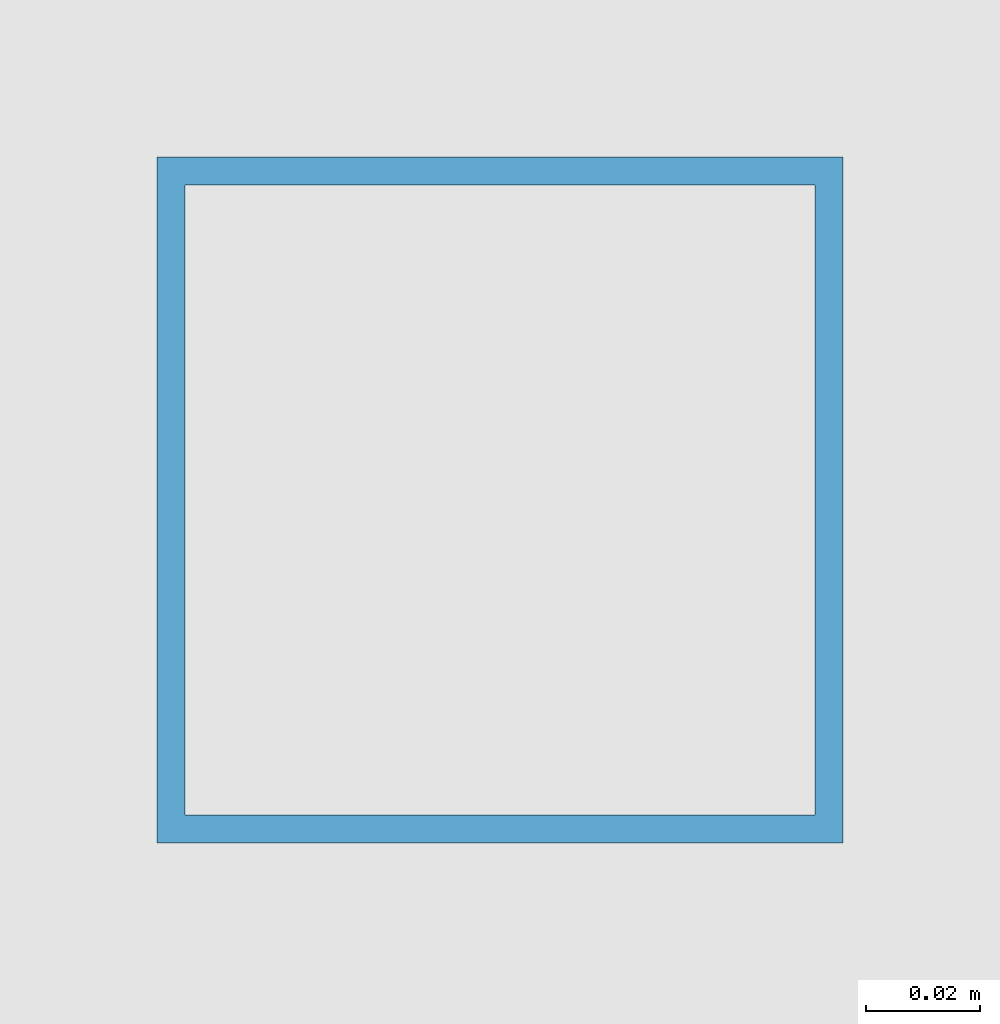
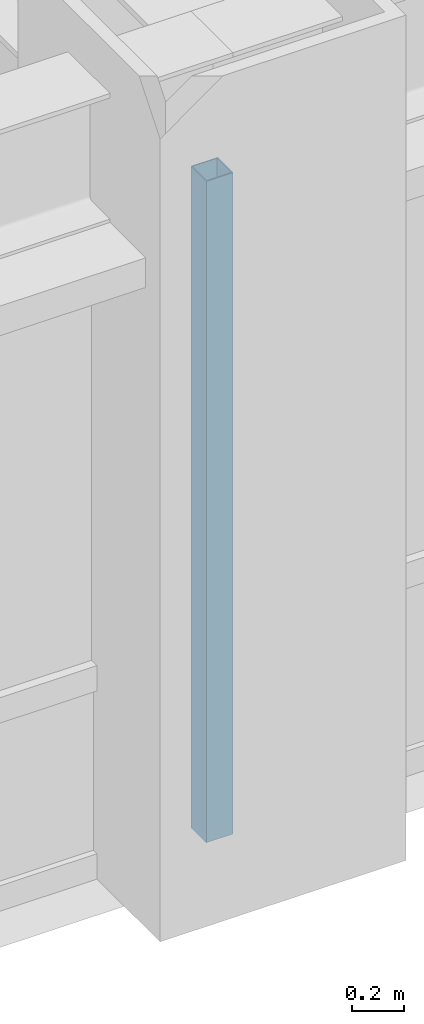
# One storey, part 4 of 28: 1 member, 1 element without a shape of its own.
"""IFC4 building model written with IfcOpenShell, lengths in metres."""

from ifc_helpers import new_model, si_unit, direction, frame, origin, origin_2d, place, context, subcontext, project, spatial, hollow_rectangle, extrude, source, transform, mapped, material, material_profile, profile_set, type_object, element, aggregate, save


model = new_model("IFC4")

# Units and contexts
model_context = context("Model", 3, precision=1e-05, world=origin(), true_north=direction((0.0, 1.0)))
body_context = subcontext(model_context, "Body", "Model", "MODEL_VIEW")
ifc_project = project(units=[si_unit("LENGTHUNIT", "METRE"), si_unit("AREAUNIT", "SQUARE_METRE"), si_unit("VOLUMEUNIT", "CUBIC_METRE"), si_unit("PLANEANGLEUNIT", "RADIAN"), si_unit("MASSUNIT", "GRAM", prefix="KILO")], contexts=[model_context])

# Site, building, storey
site_placement = place(None, origin())
site = spatial("IfcSite", under=ifc_project, at=site_placement, CompositionType="ELEMENT")
building_placement = place(site_placement, origin())
building = spatial("IfcBuilding", under=site, at=building_placement, Name="Khorayat Bourse Tower", CompositionType="ELEMENT")
storey_placement = place(building_placement, frame((0.0, 0.0, 183.10009765625)))
storey = spatial("IfcBuildingStorey", under=building, at=storey_placement, Name="L42", CompositionType="ELEMENT", Elevation=183.10009765625)

# Curtain wall, member
ifc_material = material(Name="Aluminium EN AW-6063 T6", Category="aluminium")
curtain_wall_type = type_object("IfcCurtainWallType", Name="CW-SYS-03", PredefinedType="NOTDEFINED", material=ifc_material)
curtain_wall_placement = place(storey_placement, origin())
curtain_wall = element("IfcCurtainWall", 1, at=curtain_wall_placement, inside=storey, type_object=curtain_wall_type, Name="L42 Curtain Wall CW-L42-S1", PredefinedType="NOTDEFINED")
ifc_material_profile = material_profile(ifc_material, hollow_rectangle(XDim=0.1201171875, YDim=0.1201171875, WallThickness=0.0048828125, at=origin_2d()), Name="ALU 120x120x5")
ifc_profile_set = profile_set([ifc_material_profile], Name="Aluminium EN AW-6063 T6")
member_type = type_object("IfcMemberType", Name="CWM-VERT-120", PredefinedType="MULLION", material=ifc_profile_set)
shared_shape = source(origin(), body_context, "Body", "SweptSolid", [
    extrude(hollow_rectangle(XDim=0.1201171875, YDim=0.1201171875, WallThickness=0.0048828125, at=origin_2d()), origin(), (0.0, 0.0, 1.0), 3.1298828125),
])
member_placement = place(storey_placement, frame((0.0, -30.0, 0.0), z_axis=(0.0, 0.0, 1.0), x_axis=(0.0, 1.0, 0.0)))
member = element("IfcMember", 2, at=member_placement, type_object=member_type, Name="CW-L42-S1 Vertical Mullion 2", PredefinedType="MULLION", context=body_context, shape_type="MappedRepresentation", body=[
    mapped(shared_shape, transform((0.0, 0.0, 0.0), scale=1.0)),
])
aggregate(curtain_wall, [member])

save(model, "model.ifc")
